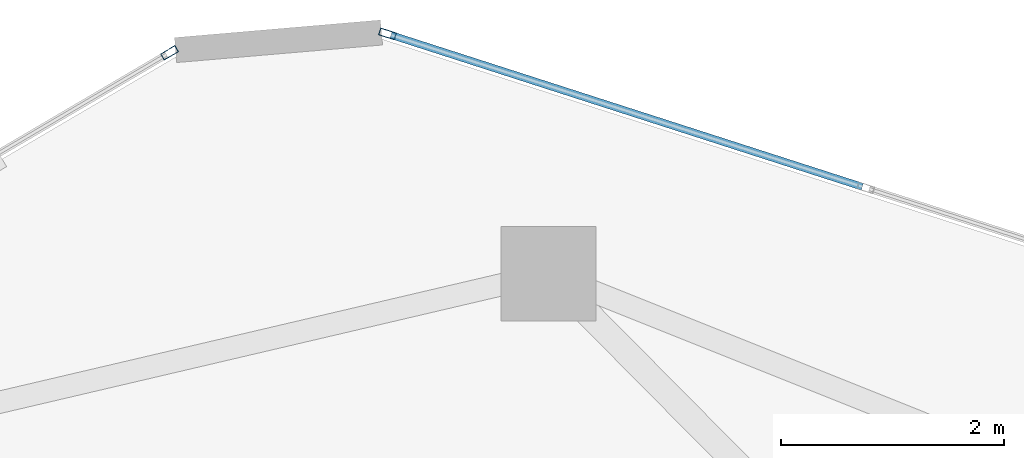
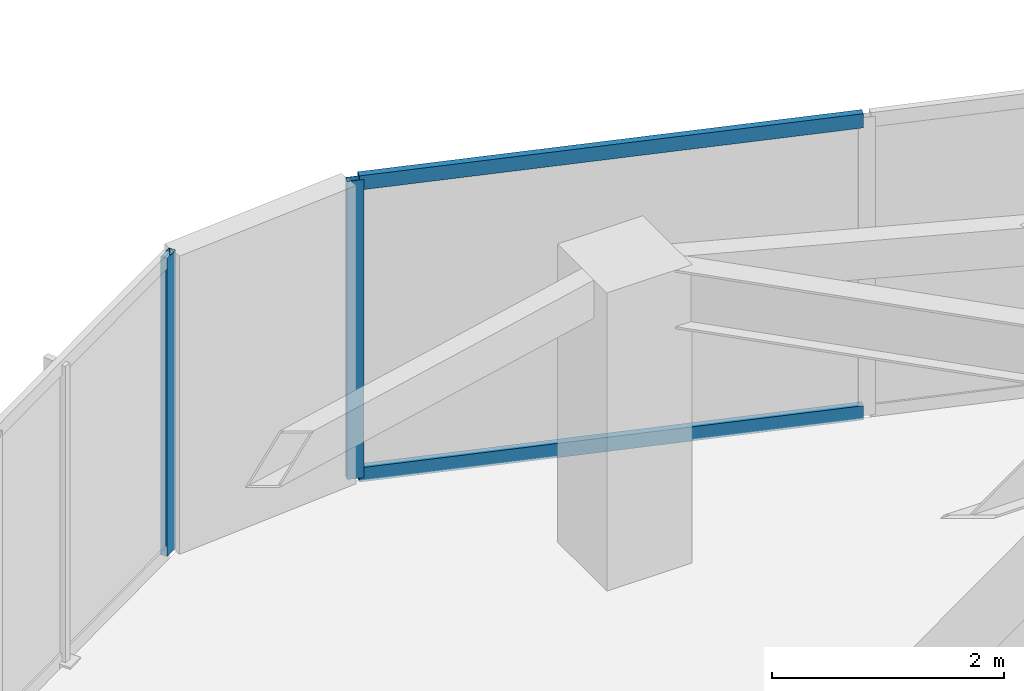
# One storey, part 15 of 20: 4 members, 2 elements without a shape of their own.
"""IFC4 building model written with IfcOpenShell, lengths in metres."""

from ifc_helpers import new_model, si_unit, direction, frame, origin, origin_2d, place, context, subcontext, project, spatial, hollow_rectangle, extrude, source, transform, mapped, material, layer, layer_set, material_profile, profile_set, type_object, type_shapes, element, aggregate, save


model = new_model("IFC4")

# Units and contexts
model_context = context("Model", 3, precision=1e-05, world=origin(), true_north=direction((0.0, 1.0)))
body_context = subcontext(model_context, "Body", "Model", "MODEL_VIEW")
ifc_project = project(units=[si_unit("LENGTHUNIT", "METRE"), si_unit("AREAUNIT", "SQUARE_METRE"), si_unit("VOLUMEUNIT", "CUBIC_METRE"), si_unit("PLANEANGLEUNIT", "RADIAN"), si_unit("MASSUNIT", "GRAM", prefix="KILO")], contexts=[model_context])

# Site, building, storey
site_placement = place(None, origin())
site = spatial("IfcSite", under=ifc_project, at=site_placement, CompositionType="ELEMENT")
building_placement = place(site_placement, origin())
building = spatial("IfcBuilding", under=site, at=building_placement, Name="Talar Marvaseh", CompositionType="ELEMENT")
storey_placement = place(building_placement, frame((0.0, 0.0, 254.39990234375)))
storey = spatial("IfcBuildingStorey", under=building, at=storey_placement, Name="L67", CompositionType="ELEMENT", Elevation=254.39990234375)

# Curtain wall, members
ifc_material = material(Name="Architectural Aluminium", Category="aluminium")
ifc_layer = layer(ifc_material, 0.179931640625)
ifc_layer_set = layer_set([ifc_layer], Name="Architectural Aluminium")
curtain_wall_type = type_object("IfcCurtainWallType", Name="Unitised High-Wind Sky Curtain Wall Z4", PredefinedType="NOTDEFINED", material=ifc_layer_set)
curtain_wall_1_placement = place(storey_placement, origin())
curtain_wall_1 = element("IfcCurtainWall", 1, at=curtain_wall_1_placement, inside=storey, type_object=curtain_wall_type, Name="L67 Unitised High-Wind Sky Curtain Wall Z4", PredefinedType="NOTDEFINED")
ifc_material_profile_1 = material_profile(ifc_material, hollow_rectangle(XDim=0.06494140625, YDim=0.14990234375, WallThickness=0.00390625, at=origin_2d()), Name="RHS150x65x4")
ifc_profile_set_1 = profile_set([ifc_material_profile_1], Name="Architectural Aluminium")
member_type_1 = type_object("IfcMemberType", Name="Unitised Curtain Wall Slim Transom RHS150x65x4", PredefinedType="USERDEFINED", material=ifc_profile_set_1)
shared_shape_1 = source(origin(), body_context, "Body", "SweptSolid", [
    extrude(hollow_rectangle(XDim=0.06494140625, YDim=0.14990234375, WallThickness=0.00390625, at=origin_2d()), origin(), (0.0, 0.0, 1.0), 4.447509765625),
])
type_shapes(member_type_1, [shared_shape_1])
member_1_placement = place(storey_placement, frame((27.77294921875, 43.19580078125, 0.03271484375), z_axis=(0.951877659239, -0.30647825672, 0.0), x_axis=(0.30647825672, 0.951877659239, 0.0)))
member_1 = element("IfcMember", 2, at=member_1_placement, type_object=member_type_1, Name="CW-Z4 transom 1.1", ObjectType="TRANSOM", PredefinedType="USERDEFINED", context=body_context, shape_type="MappedRepresentation", body=[
    mapped(shared_shape_1, transform((0.0, 0.0, 0.0), x_axis=(1.0, 0.0, 0.0), y_axis=(0.0, 1.0, 0.0), z_axis=(0.0, 0.0, 1.0), scale=1.0)),
])
member_2_placement = place(storey_placement, frame((27.77294921875, 43.19580078125, 3.107666015625), z_axis=(0.951877659239, -0.30647825672, 0.0), x_axis=(0.30647825672, 0.951877659239, 0.0)))
member_2 = element("IfcMember", 3, at=member_2_placement, type_object=member_type_1, Name="CW-Z4 transom 1.2", ObjectType="TRANSOM", PredefinedType="USERDEFINED", context=body_context, shape_type="MappedRepresentation", body=[
    mapped(shared_shape_1, transform((0.0, 0.0, 0.0), x_axis=(1.0, 0.0, 0.0), y_axis=(0.0, 1.0, 0.0), z_axis=(0.0, 0.0, 1.0), scale=1.0)),
])

# Curtain wall, member
curtain_wall_2_placement = place(storey_placement, origin())
curtain_wall_2 = element("IfcCurtainWall", 4, at=curtain_wall_2_placement, inside=storey, type_object=curtain_wall_type, Name="L67 Unitised High-Wind Sky Curtain Wall Z4", PredefinedType="NOTDEFINED")
ifc_material_profile_2 = material_profile(ifc_material, hollow_rectangle(XDim=0.06494140625, YDim=0.14990234375, WallThickness=0.00390625, at=origin_2d()), Name="RHS150x65x4")
ifc_profile_set_2 = profile_set([ifc_material_profile_2], Name="Architectural Aluminium")
member_type_2 = type_object("IfcMemberType", Name="Unitised Curtain Wall Slim Mullion RHS150x65x4", PredefinedType="MULLION", material=ifc_profile_set_2)
shared_shape_2 = source(origin(), body_context, "Body", "SweptSolid", [
    extrude(hollow_rectangle(XDim=0.06494140625, YDim=0.14990234375, WallThickness=0.00390625, at=origin_2d()), origin(), (0.0, 0.0, 1.0), 3.14013671875),
])
type_shapes(member_type_2, [shared_shape_2])
member_3_placement = place(storey_placement, frame((25.784423828125, 43.0361328125, 0.0), z_axis=(0.0, 0.0, 1.0), x_axis=(-0.506516996713, 0.862229976306, 0.0)))
member_3 = element("IfcMember", 5, at=member_3_placement, type_object=member_type_2, Name="CW-Z4 mullion 4", PredefinedType="MULLION", context=body_context, shape_type="MappedRepresentation", body=[
    mapped(shared_shape_2, transform((0.0, 0.0, 0.0), x_axis=(1.0, 0.0, 0.0), y_axis=(0.0, 1.0, 0.0), z_axis=(0.0, 0.0, 1.0), scale=1.0)),
])
aggregate(curtain_wall_2, [member_3])

# Member
member_4_placement = place(storey_placement, frame((27.741943359375, 43.205810546875, 0.0), z_axis=(0.0, 0.0, 1.0), x_axis=(0.306468293294, 0.951880867129, 0.0)))
member_4 = element("IfcMember", 6, at=member_4_placement, type_object=member_type_2, Name="CW-Z4 mullion 1", PredefinedType="MULLION", context=body_context, shape_type="MappedRepresentation", body=[
    mapped(shared_shape_2, transform((0.0, 0.0, 0.0), x_axis=(1.0, 0.0, 0.0), y_axis=(0.0, 1.0, 0.0), z_axis=(0.0, 0.0, 1.0), scale=1.0)),
])

aggregate(curtain_wall_1, [member_4, member_1, member_2])

save(model, "model.ifc")
